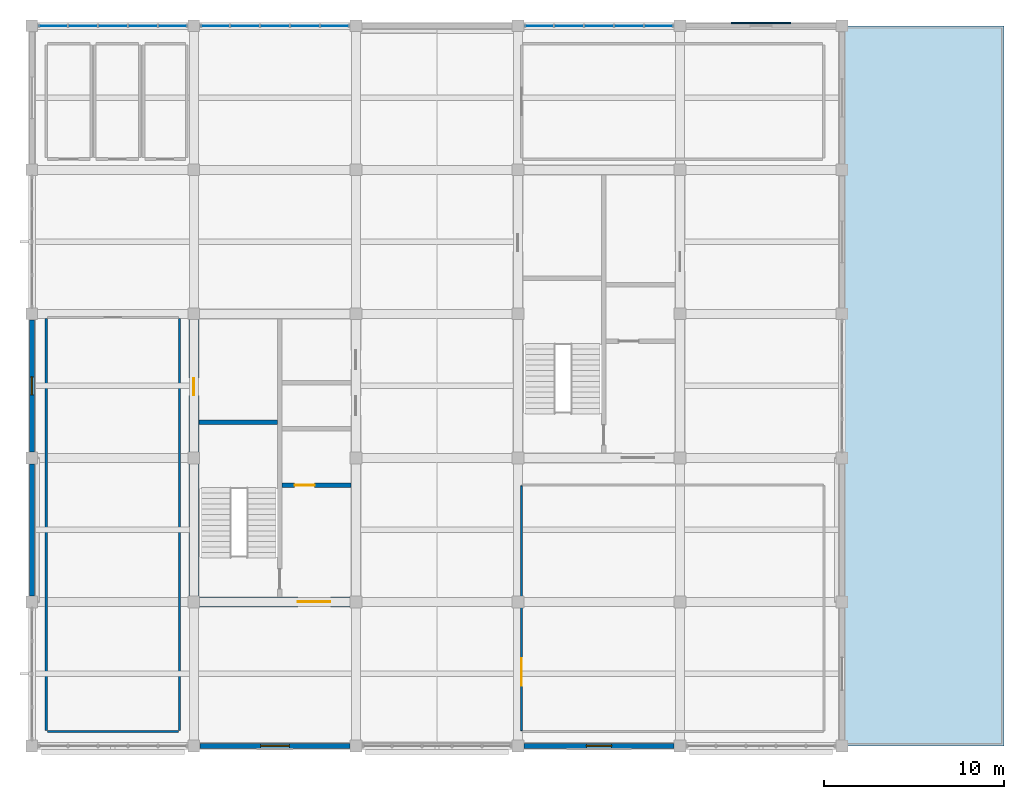
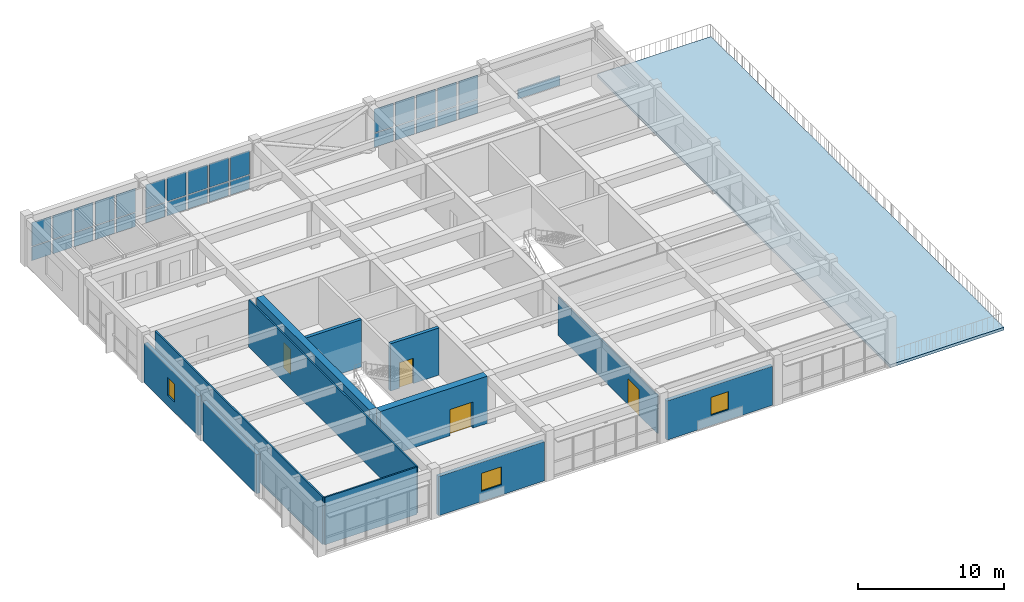
# One storey, part 8 of 12: 31 plates, 12 walls, 4 doors, 3 windows, 1 slab, 7 openings, 3 elements without a shape of their own.
"""IFC4 building model written with IfcOpenShell, lengths in metres."""

import ifcopenshell
import ifcopenshell.guid

model = None  # the IFC model being written
_history = None  # IfcOwnerHistory: only IFC2X3 demands one
_inside = {}  # id of a spatial element -> (the spatial element, [elements in it])
_under = {}  # id of a project, library or spatial element -> (it, [spatial elements below it])
_declared = {}  # id of a project -> (the project, [libraries it declares])
_typed = {}  # id of a type object -> (the type object, [elements of that type])
_made_of = {}  # id of a material, layer set ... -> (it, [elements and type objects made of it])


def new_model(schema):
    """Start an empty IFC model of exactly this schema.

    Asked for "IFC4X3", IfcOpenShell would pick the latest addendum, in which some entities
    have other attributes; the version numbers below select the first issue.
    IFC2X3 requires an IfcOwnerHistory on every rooted entity: one is made here for all.
    """
    global model, _history
    if schema == "IFC4X3":
        model = ifcopenshell.file(schema_version=(4, 3, 0, 0))
    else:
        model = ifcopenshell.file(schema=schema)
    _inside.clear()
    _under.clear()
    _declared.clear()
    _typed.clear()
    _made_of.clear()
    _history = None
    if model.schema == "IFC2X3":
        org = make("IfcOrganization", Name="unknown")
        user = make(
            "IfcPersonAndOrganization",
            ThePerson=make("IfcPerson", FamilyName="unknown"),
            TheOrganization=org,
        )
        app = make(
            "IfcApplication",
            ApplicationDeveloper=org,
            Version="unknown",
            ApplicationFullName="unknown",
            ApplicationIdentifier="unknown",
        )
        _history = make(
            "IfcOwnerHistory",
            OwningUser=user,
            OwningApplication=app,
            ChangeAction="ADDED",
            CreationDate=0,
        )
    return model


def make(cls, **values):
    """One entity of the class cls with the attributes given. An attribute that is None is left unset."""
    return model.create_entity(
        cls, **{name: value for name, value in values.items() if value is not None}
    )


def rooted(cls, **values):
    """An entity with a GlobalId (a new one), such as an element, a storey or a relation."""
    return make(cls, GlobalId=ifcopenshell.guid.new(), OwnerHistory=_history, **values)


def si_unit(unit_type, name, prefix=None):
    """IfcSIUnit, for example si_unit("LENGTHUNIT", "METRE", prefix="MILLI")."""
    return make("IfcSIUnit", UnitType=unit_type, Prefix=prefix, Name=name)


def assignment(units):
    """IfcUnitAssignment: the units of a project."""
    return None if units is None else make("IfcUnitAssignment", Units=units)


def point(xyz):
    """IfcCartesianPoint."""
    return None if xyz is None else make("IfcCartesianPoint", Coordinates=xyz)


def direction(xyz):
    """IfcDirection."""
    return None if xyz is None else make("IfcDirection", DirectionRatios=xyz)


def frame(location, z_axis=None, x_axis=None):
    """IfcAxis2Placement3D, a coordinate frame: its origin and axes. An axis left out is left unset."""
    return make(
        "IfcAxis2Placement3D",
        Location=point(location),
        Axis=direction(z_axis),
        RefDirection=direction(x_axis),
    )


def frame_2d(location, x_axis=None):
    """IfcAxis2Placement2D, a coordinate frame in the plane: its origin and x axis."""
    return make(
        "IfcAxis2Placement2D", Location=point(location), RefDirection=direction(x_axis)
    )


def origin():
    """The frame at (0, 0, 0) with its axes left unset."""
    return frame((0.0, 0.0, 0.0))


def place(relative_to, where):
    """IfcLocalPlacement: puts the frame where relative to a parent placement (None: the world)."""
    return make(
        "IfcLocalPlacement", PlacementRelTo=relative_to, RelativePlacement=where
    )


def context(
    kind, dimensions, precision=None, world=None, true_north=None, identifier=None
):
    """IfcGeometricRepresentationContext, for example the 3D "Model" context."""
    return make(
        "IfcGeometricRepresentationContext",
        ContextIdentifier=identifier,
        ContextType=kind,
        CoordinateSpaceDimension=dimensions,
        Precision=precision,
        WorldCoordinateSystem=world,
        TrueNorth=true_north,
    )


def subcontext(parent, identifier, kind, view, scale=None):
    """IfcGeometricRepresentationSubContext, for example "Body" below "Model"."""
    return make(
        "IfcGeometricRepresentationSubContext",
        ContextIdentifier=identifier,
        ContextType=kind,
        ParentContext=parent,
        TargetScale=scale,
        TargetView=view,
    )


def project(units=None, contexts=None):
    """IfcProject with its units and contexts."""
    return rooted(
        "IfcProject",
        Name="project",
        RepresentationContexts=contexts,
        UnitsInContext=assignment(units),
    )


def spatial(cls, under=None, at=None, **own):
    """A site, building, storey or space (cls), placed at a placement, below another one or the project."""
    s = rooted(cls, ObjectPlacement=at, **own)
    if under is not None:
        _under.setdefault(under.id(), (under, []))[1].append(s)
    return s


def polyline(points):
    """IfcPolyline through the points."""
    return make("IfcPolyline", Points=[point(p) for p in points])


def profile(cls, at=None, kind="AREA", **sizes):
    """A parametric profile (cls). Its sizes go by their IFC names, for example OverallWidth=200.0."""
    return make(cls, ProfileType=kind, Position=at, **sizes)


def rectangle(**sizes):
    """IfcRectangleProfileDef."""
    return profile("IfcRectangleProfileDef", **sizes)


def outline(outer, holes=None, kind="AREA"):
    """IfcArbitraryClosedProfileDef: a profile drawn as a closed curve; with holes, ...WithVoids."""
    if holes is None:
        return make("IfcArbitraryClosedProfileDef", ProfileType=kind, OuterCurve=outer)
    return make(
        "IfcArbitraryProfileDefWithVoids",
        ProfileType=kind,
        OuterCurve=outer,
        InnerCurves=holes,
    )


def extrude(swept, where, along, depth):
    """IfcExtrudedAreaSolid: the profile swept, set in the frame where, extruded along a direction by depth."""
    return make(
        "IfcExtrudedAreaSolid",
        SweptArea=swept,
        Position=where,
        ExtrudedDirection=direction(along),
        Depth=depth,
    )


def shape(context_of_items, identifier, shape_type, items):
    """IfcShapeRepresentation: the items that make up one representation, for example the "Body"."""
    return make(
        "IfcShapeRepresentation",
        ContextOfItems=context_of_items,
        RepresentationIdentifier=identifier,
        RepresentationType=shape_type,
        Items=items,
    )


def material(Name=None, Category=None):
    """IfcMaterial."""
    return make("IfcMaterial", Name=Name, Category=Category)


def layer(
    of_material, thickness, ventilated=None, Name=None, Category=None, Priority=None
):
    """IfcMaterialLayer: one layer of a wall or slab, of a material (None: an air gap)."""
    return make(
        "IfcMaterialLayer",
        Material=of_material,
        LayerThickness=thickness,
        IsVentilated=ventilated,
        Name=Name,
        Category=Category,
        Priority=Priority,
    )


def layer_set(layers, Name=None):
    """IfcMaterialLayerSet."""
    return make("IfcMaterialLayerSet", MaterialLayers=layers, LayerSetName=Name)


def made_of(thing, what):
    """Note that an element or type object is made of a material, layer set ...; save() writes the relation."""
    if what is not None:
        _made_of.setdefault(what.id(), (what, []))[1].append(thing)
    return thing


def type_object(cls, material=None, **own):
    """A type object (cls), such as IfcWallType, which elements share."""
    return made_of(rooted(cls, **own), material)


def element(
    cls,
    number,
    at=None,
    inside=None,
    cuts=None,
    type_object=None,
    material=None,
    context=None,
    identifier="Body",
    shape_type=None,
    held_by="IfcProductDefinitionShape",
    body=None,
    shapes=None,
    **own,
):
    """One element of the class cls, such as IfcWall. Its Tag is "e" and its number.

    at: its placement. inside: the storey or other place that contains it. cuts: it is an
    opening in that element (IfcRelVoidsElement). A single representation is given by context,
    identifier, shape_type and body (its items); several are given by shapes. held_by: the class
    of the entity that holds the representations. save() writes the other relations.
    """
    e = rooted(cls, Tag="e%d" % number, ObjectPlacement=at, **own)
    if body is not None:
        shapes = [shape(context, identifier, shape_type, body)]
    if shapes is not None:
        e.Representation = make(held_by, Representations=shapes)
    if inside is not None:
        _inside.setdefault(inside.id(), (inside, []))[1].append(e)
    if cuts is not None:
        rooted(
            "IfcRelVoidsElement", RelatingBuildingElement=cuts, RelatedOpeningElement=e
        )
    if type_object is not None:
        _typed.setdefault(type_object.id(), (type_object, []))[1].append(e)
    return made_of(e, material)


def fill(opening, filler):
    """IfcRelFillsElement: the door or window that sits in an opening."""
    return rooted(
        "IfcRelFillsElement",
        RelatingOpeningElement=opening,
        RelatedBuildingElement=filler,
    )


def aggregate(whole, parts):
    """IfcRelAggregates: a whole, such as a stair, and the parts it consists of."""
    return rooted("IfcRelAggregates", RelatingObject=whole, RelatedObjects=parts)


def save(model, path):
    """Write the relations noted so far, then the file.

    IfcRelAggregates (storeys below a building ...), IfcRelContainedInSpatialStructure (elements
    in a storey), IfcRelDefinesByType, IfcRelAssociatesMaterial and IfcRelDeclares: one each for
    every whole, place, type object, material and project.
    """
    for whole, parts in _under.values():
        aggregate(whole, parts)
    for where, things in _inside.values():
        rooted(
            "IfcRelContainedInSpatialStructure",
            RelatedElements=things,
            RelatingStructure=where,
        )
    for kind, things in _typed.values():
        rooted("IfcRelDefinesByType", RelatedObjects=things, RelatingType=kind)
    for what, things in _made_of.values():
        rooted("IfcRelAssociatesMaterial", RelatedObjects=things, RelatingMaterial=what)
    for by, libraries in _declared.values():
        rooted("IfcRelDeclares", RelatingContext=by, RelatedDefinitions=libraries)
    model.write(path)


model = new_model("IFC4")

# Units and contexts
model_context = context("Model", 3, precision=1e-05, world=origin(), true_north=direction((0.0, 1.0)))
body_context = subcontext(model_context, "Body", "Model", "MODEL_VIEW")
ifc_project = project(units=[si_unit("LENGTHUNIT", "METRE"), si_unit("AREAUNIT", "SQUARE_METRE"), si_unit("VOLUMEUNIT", "CUBIC_METRE"), si_unit("PLANEANGLEUNIT", "RADIAN"), si_unit("MASSUNIT", "GRAM", prefix="KILO")], contexts=[model_context])

# Site, building, storey
site_placement = place(None, origin())
site = spatial("IfcSite", under=ifc_project, at=site_placement, CompositionType="ELEMENT")
building_placement = place(site_placement, origin())
building = spatial("IfcBuilding", under=site, at=building_placement, Name="Zaverband Oceanarium and Marine Research Institute", CompositionType="ELEMENT")
storey_placement = place(building_placement, frame((0.0, 0.0, 68.699951171875)))
storey = spatial("IfcBuildingStorey", under=building, at=storey_placement, Name="L17", CompositionType="ELEMENT", Elevation=68.699951171875)

# Curtain wall, plates
ifc_material_1 = material(Name="Thermally broken anodized aluminium and solar-control glass", Category="aluminium")
curtain_wall_type = type_object("IfcCurtainWallType", Name="CW-UNIT-1800", PredefinedType="NOTDEFINED", material=ifc_material_1)
curtain_wall_1_placement = place(storey_placement, origin())
curtain_wall_1 = element("IfcCurtainWall", 1, at=curtain_wall_1_placement, inside=storey, type_object=curtain_wall_type, Name="Unitised glazed curtain wall CW-177", PredefinedType="NOTDEFINED")
ifc_material_2 = material(Name="Low-E double-glazed solar-control glass", Category="glass")
ifc_layer_1 = layer(ifc_material_2, 0.033935546875, Name="Low-E double-glazed solar-control glass")
ifc_layer_set_1 = layer_set([ifc_layer_1], Name="Low-E double-glazed solar-control glass")
plate_type_1 = type_object("IfcPlateType", Name="CWP-1608x1145", PredefinedType="CURTAIN_PANEL", material=ifc_layer_set_1)
plate_1_placement = place(storey_placement, frame((9.409912109375, 112.0, 0.050048828125), z_axis=(0.0, 0.0, 1.0), x_axis=(1.0, 0.0, 0.0)))
plate_1 = element("IfcPlate", 2, at=plate_1_placement, type_object=plate_type_1, Name="Glazed curtain wall panel CWP-1608x1145", PredefinedType="CURTAIN_PANEL", context=body_context, shape_type="SweptSolid", body=[
    extrude(rectangle(XDim=1.508056640625, YDim=0.033935546875, at=frame_2d((0.75390625, 0.0))), origin(), (0.0, 0.0, 1.0), 1.14404296875),
])
plate_2_placement = place(storey_placement, frame((11.077880859375, 112.0, 0.050048828125), z_axis=(0.0, 0.0, 1.0), x_axis=(1.0, 0.0, 0.0)))
plate_2 = element("IfcPlate", 3, at=plate_2_placement, type_object=plate_type_1, Name="Glazed curtain wall panel CWP-1608x1145", PredefinedType="CURTAIN_PANEL", context=body_context, shape_type="SweptSolid", body=[
    extrude(rectangle(XDim=1.508056640625, YDim=0.033935546875, at=frame_2d((0.75390625, 0.0))), origin(), (0.0, 0.0, 1.0), 1.14404296875),
])
plate_3_placement = place(storey_placement, frame((12.74609375, 112.0, 0.050048828125), z_axis=(0.0, 0.0, 1.0), x_axis=(1.0, 0.0, 0.0)))
plate_3 = element("IfcPlate", 4, at=plate_3_placement, type_object=plate_type_1, Name="Glazed curtain wall panel CWP-1608x1145", PredefinedType="CURTAIN_PANEL", context=body_context, shape_type="SweptSolid", body=[
    extrude(rectangle(XDim=1.5078125, YDim=0.033935546875, at=frame_2d((0.75390625, 0.0))), origin(), (0.0, 0.0, 1.0), 1.14404296875),
])
plate_4_placement = place(storey_placement, frame((14.4140625, 112.0, 0.050048828125), z_axis=(0.0, 0.0, 1.0), x_axis=(1.0, 0.0, 0.0)))
plate_4 = element("IfcPlate", 5, at=plate_4_placement, type_object=plate_type_1, Name="Glazed curtain wall panel CWP-1608x1145", PredefinedType="CURTAIN_PANEL", context=body_context, shape_type="SweptSolid", body=[
    extrude(rectangle(XDim=1.508056640625, YDim=0.033935546875, at=frame_2d((0.75390625, 0.0))), origin(), (0.0, 0.0, 1.0), 1.14404296875),
])
plate_5_placement = place(storey_placement, frame((16.08203125, 112.0, 0.050048828125), z_axis=(0.0, 0.0, 1.0), x_axis=(1.0, 0.0, 0.0)))
plate_5 = element("IfcPlate", 6, at=plate_5_placement, type_object=plate_type_1, Name="Glazed curtain wall panel CWP-1608x1145", PredefinedType="CURTAIN_PANEL", context=body_context, shape_type="SweptSolid", body=[
    extrude(rectangle(XDim=1.508056640625, YDim=0.033935546875, at=frame_2d((0.75390625, 0.0))), origin(), (0.0, 0.0, 1.0), 1.14404296875),
])

curtain_wall_2_placement = place(storey_placement, origin())
curtain_wall_2 = element("IfcCurtainWall", 7, at=curtain_wall_2_placement, inside=storey, type_object=curtain_wall_type, Name="Unitised glazed curtain wall CW-178", PredefinedType="NOTDEFINED")
plate_6_placement = place(storey_placement, frame((18.409912109375, 112.0, 0.050048828125), z_axis=(0.0, 0.0, 1.0), x_axis=(1.0, 0.0, 0.0)))
plate_6 = element("IfcPlate", 8, at=plate_6_placement, type_object=plate_type_1, Name="Glazed curtain wall panel CWP-1608x1145", PredefinedType="CURTAIN_PANEL", context=body_context, shape_type="SweptSolid", body=[
    extrude(rectangle(XDim=1.508056640625, YDim=0.033935546875, at=frame_2d((0.75390625, 0.0))), origin(), (0.0, 0.0, 1.0), 1.14404296875),
])
plate_7_placement = place(storey_placement, frame((20.077880859375, 112.0, 0.050048828125), z_axis=(0.0, 0.0, 1.0), x_axis=(1.0, 0.0, 0.0)))
plate_7 = element("IfcPlate", 9, at=plate_7_placement, type_object=plate_type_1, Name="Glazed curtain wall panel CWP-1608x1145", PredefinedType="CURTAIN_PANEL", context=body_context, shape_type="SweptSolid", body=[
    extrude(rectangle(XDim=1.508056640625, YDim=0.033935546875, at=frame_2d((0.75390625, 0.0))), origin(), (0.0, 0.0, 1.0), 1.14404296875),
])
plate_8_placement = place(storey_placement, frame((21.74609375, 112.0, 0.050048828125), z_axis=(0.0, 0.0, 1.0), x_axis=(1.0, 0.0, 0.0)))
plate_8 = element("IfcPlate", 10, at=plate_8_placement, type_object=plate_type_1, Name="Glazed curtain wall panel CWP-1608x1145", PredefinedType="CURTAIN_PANEL", context=body_context, shape_type="SweptSolid", body=[
    extrude(rectangle(XDim=1.5078125, YDim=0.033935546875, at=frame_2d((0.75390625, 0.0))), origin(), (0.0, 0.0, 1.0), 1.14404296875),
])
plate_9_placement = place(storey_placement, frame((23.4140625, 112.0, 0.050048828125), z_axis=(0.0, 0.0, 1.0), x_axis=(1.0, 0.0, 0.0)))
plate_9 = element("IfcPlate", 11, at=plate_9_placement, type_object=plate_type_1, Name="Glazed curtain wall panel CWP-1608x1145", PredefinedType="CURTAIN_PANEL", context=body_context, shape_type="SweptSolid", body=[
    extrude(rectangle(XDim=1.508056640625, YDim=0.033935546875, at=frame_2d((0.75390625, 0.0))), origin(), (0.0, 0.0, 1.0), 1.14404296875),
])
plate_10_placement = place(storey_placement, frame((25.08203125, 112.0, 0.050048828125), z_axis=(0.0, 0.0, 1.0), x_axis=(1.0, 0.0, 0.0)))
plate_10 = element("IfcPlate", 12, at=plate_10_placement, type_object=plate_type_1, Name="Glazed curtain wall panel CWP-1608x1145", PredefinedType="CURTAIN_PANEL", context=body_context, shape_type="SweptSolid", body=[
    extrude(rectangle(XDim=1.508056640625, YDim=0.033935546875, at=frame_2d((0.75390625, 0.0))), origin(), (0.0, 0.0, 1.0), 1.14404296875),
])

curtain_wall_3_placement = place(storey_placement, origin())
curtain_wall_3 = element("IfcCurtainWall", 13, at=curtain_wall_3_placement, inside=storey, type_object=curtain_wall_type, Name="Unitised glazed curtain wall CW-179", PredefinedType="NOTDEFINED")
plate_11_placement = place(storey_placement, frame((36.409912109375, 112.0, 0.050048828125), z_axis=(0.0, 0.0, 1.0), x_axis=(1.0, 0.0, 0.0)))
plate_11 = element("IfcPlate", 14, at=plate_11_placement, type_object=plate_type_1, Name="Glazed curtain wall panel CWP-1608x1145", PredefinedType="CURTAIN_PANEL", context=body_context, shape_type="SweptSolid", body=[
    extrude(rectangle(XDim=1.508056640625, YDim=0.033935546875, at=frame_2d((0.75390625, 0.0))), origin(), (0.0, 0.0, 1.0), 1.14404296875),
])
plate_12_placement = place(storey_placement, frame((38.077880859375, 112.0, 0.050048828125), z_axis=(0.0, 0.0, 1.0), x_axis=(1.0, 0.0, 0.0)))
plate_12 = element("IfcPlate", 15, at=plate_12_placement, type_object=plate_type_1, Name="Glazed curtain wall panel CWP-1608x1145", PredefinedType="CURTAIN_PANEL", context=body_context, shape_type="SweptSolid", body=[
    extrude(rectangle(XDim=1.508056640625, YDim=0.033935546875, at=frame_2d((0.75390625, 0.0))), origin(), (0.0, 0.0, 1.0), 1.14404296875),
])
plate_13_placement = place(storey_placement, frame((39.74609375, 112.0, 0.050048828125), z_axis=(0.0, 0.0, 1.0), x_axis=(1.0, 0.0, 0.0)))
plate_13 = element("IfcPlate", 16, at=plate_13_placement, type_object=plate_type_1, Name="Glazed curtain wall panel CWP-1608x1145", PredefinedType="CURTAIN_PANEL", context=body_context, shape_type="SweptSolid", body=[
    extrude(rectangle(XDim=1.5078125, YDim=0.033935546875, at=frame_2d((0.75390625, 0.0))), origin(), (0.0, 0.0, 1.0), 1.14404296875),
])
plate_14_placement = place(storey_placement, frame((41.4140625, 112.0, 0.050048828125), z_axis=(0.0, 0.0, 1.0), x_axis=(1.0, 0.0, 0.0)))
plate_14 = element("IfcPlate", 17, at=plate_14_placement, type_object=plate_type_1, Name="Glazed curtain wall panel CWP-1608x1145", PredefinedType="CURTAIN_PANEL", context=body_context, shape_type="SweptSolid", body=[
    extrude(rectangle(XDim=1.508056640625, YDim=0.033935546875, at=frame_2d((0.75390625, 0.0))), origin(), (0.0, 0.0, 1.0), 1.14404296875),
])
plate_15_placement = place(storey_placement, frame((43.08203125, 112.0, 0.050048828125), z_axis=(0.0, 0.0, 1.0), x_axis=(1.0, 0.0, 0.0)))
plate_15 = element("IfcPlate", 18, at=plate_15_placement, type_object=plate_type_1, Name="Glazed curtain wall panel CWP-1608x1145", PredefinedType="CURTAIN_PANEL", context=body_context, shape_type="SweptSolid", body=[
    extrude(rectangle(XDim=1.508056640625, YDim=0.033935546875, at=frame_2d((0.75390625, 0.0))), origin(), (0.0, 0.0, 1.0), 1.14404296875),
])

# Plate
ifc_layer_2 = layer(ifc_material_2, 0.035888671875, Name="Low-E double-glazed solar-control glass")
ifc_layer_set_2 = layer_set([ifc_layer_2], Name="Low-E double-glazed solar-control glass")
plate_type_2 = type_object("IfcPlateType", Name="CWP-1608x1965", PredefinedType="CURTAIN_PANEL", material=ifc_layer_set_2)
plate_16_placement = place(storey_placement, frame((9.409912109375, 112.0, 1.26416015625), z_axis=(0.0, 0.0, 1.0), x_axis=(1.0, 0.0, 0.0)))
plate_16 = element("IfcPlate", 19, at=plate_16_placement, type_object=plate_type_2, Name="Glazed curtain wall panel CWP-1608x1965", PredefinedType="CURTAIN_PANEL", context=body_context, shape_type="SweptSolid", body=[
    extrude(rectangle(XDim=1.508056640625, YDim=0.035888671875, at=frame_2d((0.75390625, 0.0))), origin(), (0.0, 0.0, 1.0), 1.9658203125),
])

plate_17_placement = place(storey_placement, frame((11.077880859375, 112.0, 1.26416015625), z_axis=(0.0, 0.0, 1.0), x_axis=(1.0, 0.0, 0.0)))
plate_17 = element("IfcPlate", 20, at=plate_17_placement, type_object=plate_type_2, Name="Glazed curtain wall panel CWP-1608x1965", PredefinedType="CURTAIN_PANEL", context=body_context, shape_type="SweptSolid", body=[
    extrude(rectangle(XDim=1.508056640625, YDim=0.035888671875, at=frame_2d((0.75390625, 0.0))), origin(), (0.0, 0.0, 1.0), 1.9658203125),
])

plate_18_placement = place(storey_placement, frame((12.74609375, 112.0, 1.26416015625), z_axis=(0.0, 0.0, 1.0), x_axis=(1.0, 0.0, 0.0)))
plate_18 = element("IfcPlate", 21, at=plate_18_placement, type_object=plate_type_2, Name="Glazed curtain wall panel CWP-1608x1965", PredefinedType="CURTAIN_PANEL", context=body_context, shape_type="SweptSolid", body=[
    extrude(rectangle(XDim=1.5078125, YDim=0.035888671875, at=frame_2d((0.75390625, 0.0))), origin(), (0.0, 0.0, 1.0), 1.9658203125),
])

plate_19_placement = place(storey_placement, frame((14.4140625, 112.0, 1.26416015625), z_axis=(0.0, 0.0, 1.0), x_axis=(1.0, 0.0, 0.0)))
plate_19 = element("IfcPlate", 22, at=plate_19_placement, type_object=plate_type_2, Name="Glazed curtain wall panel CWP-1608x1965", PredefinedType="CURTAIN_PANEL", context=body_context, shape_type="SweptSolid", body=[
    extrude(rectangle(XDim=1.508056640625, YDim=0.035888671875, at=frame_2d((0.75390625, 0.0))), origin(), (0.0, 0.0, 1.0), 1.9658203125),
])

plate_20_placement = place(storey_placement, frame((16.08203125, 112.0, 1.26416015625), z_axis=(0.0, 0.0, 1.0), x_axis=(1.0, 0.0, 0.0)))
plate_20 = element("IfcPlate", 23, at=plate_20_placement, type_object=plate_type_2, Name="Glazed curtain wall panel CWP-1608x1965", PredefinedType="CURTAIN_PANEL", context=body_context, shape_type="SweptSolid", body=[
    extrude(rectangle(XDim=1.508056640625, YDim=0.035888671875, at=frame_2d((0.75390625, 0.0))), origin(), (0.0, 0.0, 1.0), 1.9658203125),
])

aggregate(curtain_wall_1, [plate_1, plate_16, plate_2, plate_17, plate_3, plate_18, plate_4, plate_19, plate_5, plate_20])

plate_21_placement = place(storey_placement, frame((18.409912109375, 112.0, 1.26416015625), z_axis=(0.0, 0.0, 1.0), x_axis=(1.0, 0.0, 0.0)))
plate_21 = element("IfcPlate", 24, at=plate_21_placement, type_object=plate_type_2, Name="Glazed curtain wall panel CWP-1608x1965", PredefinedType="CURTAIN_PANEL", context=body_context, shape_type="SweptSolid", body=[
    extrude(rectangle(XDim=1.508056640625, YDim=0.035888671875, at=frame_2d((0.75390625, 0.0))), origin(), (0.0, 0.0, 1.0), 1.9658203125),
])

plate_22_placement = place(storey_placement, frame((20.077880859375, 112.0, 1.26416015625), z_axis=(0.0, 0.0, 1.0), x_axis=(1.0, 0.0, 0.0)))
plate_22 = element("IfcPlate", 25, at=plate_22_placement, type_object=plate_type_2, Name="Glazed curtain wall panel CWP-1608x1965", PredefinedType="CURTAIN_PANEL", context=body_context, shape_type="SweptSolid", body=[
    extrude(rectangle(XDim=1.508056640625, YDim=0.035888671875, at=frame_2d((0.75390625, 0.0))), origin(), (0.0, 0.0, 1.0), 1.9658203125),
])

plate_23_placement = place(storey_placement, frame((21.74609375, 112.0, 1.26416015625), z_axis=(0.0, 0.0, 1.0), x_axis=(1.0, 0.0, 0.0)))
plate_23 = element("IfcPlate", 26, at=plate_23_placement, type_object=plate_type_2, Name="Glazed curtain wall panel CWP-1608x1965", PredefinedType="CURTAIN_PANEL", context=body_context, shape_type="SweptSolid", body=[
    extrude(rectangle(XDim=1.5078125, YDim=0.035888671875, at=frame_2d((0.75390625, 0.0))), origin(), (0.0, 0.0, 1.0), 1.9658203125),
])

plate_24_placement = place(storey_placement, frame((23.4140625, 112.0, 1.26416015625), z_axis=(0.0, 0.0, 1.0), x_axis=(1.0, 0.0, 0.0)))
plate_24 = element("IfcPlate", 27, at=plate_24_placement, type_object=plate_type_2, Name="Glazed curtain wall panel CWP-1608x1965", PredefinedType="CURTAIN_PANEL", context=body_context, shape_type="SweptSolid", body=[
    extrude(rectangle(XDim=1.508056640625, YDim=0.035888671875, at=frame_2d((0.75390625, 0.0))), origin(), (0.0, 0.0, 1.0), 1.9658203125),
])

plate_25_placement = place(storey_placement, frame((25.08203125, 112.0, 1.26416015625), z_axis=(0.0, 0.0, 1.0), x_axis=(1.0, 0.0, 0.0)))
plate_25 = element("IfcPlate", 28, at=plate_25_placement, type_object=plate_type_2, Name="Glazed curtain wall panel CWP-1608x1965", PredefinedType="CURTAIN_PANEL", context=body_context, shape_type="SweptSolid", body=[
    extrude(rectangle(XDim=1.508056640625, YDim=0.035888671875, at=frame_2d((0.75390625, 0.0))), origin(), (0.0, 0.0, 1.0), 1.9658203125),
])

aggregate(curtain_wall_2, [plate_6, plate_21, plate_7, plate_22, plate_8, plate_23, plate_9, plate_24, plate_10, plate_25])

plate_26_placement = place(storey_placement, frame((36.409912109375, 112.0, 1.26416015625), z_axis=(0.0, 0.0, 1.0), x_axis=(1.0, 0.0, 0.0)))
plate_26 = element("IfcPlate", 29, at=plate_26_placement, type_object=plate_type_2, Name="Glazed curtain wall panel CWP-1608x1965", PredefinedType="CURTAIN_PANEL", context=body_context, shape_type="SweptSolid", body=[
    extrude(rectangle(XDim=1.508056640625, YDim=0.035888671875, at=frame_2d((0.75390625, 0.0))), origin(), (0.0, 0.0, 1.0), 1.9658203125),
])

plate_27_placement = place(storey_placement, frame((38.077880859375, 112.0, 1.26416015625), z_axis=(0.0, 0.0, 1.0), x_axis=(1.0, 0.0, 0.0)))
plate_27 = element("IfcPlate", 30, at=plate_27_placement, type_object=plate_type_2, Name="Glazed curtain wall panel CWP-1608x1965", PredefinedType="CURTAIN_PANEL", context=body_context, shape_type="SweptSolid", body=[
    extrude(rectangle(XDim=1.508056640625, YDim=0.035888671875, at=frame_2d((0.75390625, 0.0))), origin(), (0.0, 0.0, 1.0), 1.9658203125),
])

plate_28_placement = place(storey_placement, frame((39.74609375, 112.0, 1.26416015625), z_axis=(0.0, 0.0, 1.0), x_axis=(1.0, 0.0, 0.0)))
plate_28 = element("IfcPlate", 31, at=plate_28_placement, type_object=plate_type_2, Name="Glazed curtain wall panel CWP-1608x1965", PredefinedType="CURTAIN_PANEL", context=body_context, shape_type="SweptSolid", body=[
    extrude(rectangle(XDim=1.5078125, YDim=0.035888671875, at=frame_2d((0.75390625, 0.0))), origin(), (0.0, 0.0, 1.0), 1.9658203125),
])

plate_29_placement = place(storey_placement, frame((41.4140625, 112.0, 1.26416015625), z_axis=(0.0, 0.0, 1.0), x_axis=(1.0, 0.0, 0.0)))
plate_29 = element("IfcPlate", 32, at=plate_29_placement, type_object=plate_type_2, Name="Glazed curtain wall panel CWP-1608x1965", PredefinedType="CURTAIN_PANEL", context=body_context, shape_type="SweptSolid", body=[
    extrude(rectangle(XDim=1.508056640625, YDim=0.035888671875, at=frame_2d((0.75390625, 0.0))), origin(), (0.0, 0.0, 1.0), 1.9658203125),
])

plate_30_placement = place(storey_placement, frame((43.08203125, 112.0, 1.26416015625), z_axis=(0.0, 0.0, 1.0), x_axis=(1.0, 0.0, 0.0)))
plate_30 = element("IfcPlate", 33, at=plate_30_placement, type_object=plate_type_2, Name="Glazed curtain wall panel CWP-1608x1965", PredefinedType="CURTAIN_PANEL", context=body_context, shape_type="SweptSolid", body=[
    extrude(rectangle(XDim=1.508056640625, YDim=0.035888671875, at=frame_2d((0.75390625, 0.0))), origin(), (0.0, 0.0, 1.0), 1.9658203125),
])

aggregate(curtain_wall_3, [plate_11, plate_26, plate_12, plate_27, plate_13, plate_28, plate_14, plate_29, plate_15, plate_30])

ifc_material_3 = material(Name="Concrete C40/50 precast ochre", Category="concrete")
ifc_layer_3 = layer(ifc_material_3, 0.0849609375, Name="Concrete C40/50 precast ochre")
ifc_layer_set_3 = layer_set([ifc_layer_3], Name="Concrete C40/50 precast ochre")
plate_type_3 = type_object("IfcPlateType", Name="FRP-3300x800", PredefinedType="USERDEFINED", material=ifc_layer_set_3)
plate_31_placement = place(storey_placement, frame((47.85009765625, 112.159912109375, 0.0), z_axis=(0.0, 0.0, 1.0), x_axis=(1.0, 0.0, 0.0)))
element("IfcPlate", 34, at=plate_31_placement, inside=storey, type_object=plate_type_3, Name="Geometric precast facade cladding panel FRP-3300x800", ObjectType="FLANGE_PLATE", PredefinedType="USERDEFINED", context=body_context, shape_type="SweptSolid", body=[
    extrude(rectangle(XDim=3.2998046875, YDim=0.0849609375, at=frame_2d((1.64990234375, 0.0))), origin(), (0.0, 0.0, 1.0), 0.800048828125),
])

# Slab
ifc_material_4 = material(Name="Concrete C40/50", Category="concrete")
ifc_layer_4 = layer(ifc_material_4, 0.239990234375, Name="Concrete C40/50")
ifc_layer_set_4 = layer_set([ifc_layer_4], Name="Concrete C40/50")
slab_type = type_object("IfcSlabType", Name="SLB-TER-240", PredefinedType="FLOOR", material=ifc_layer_set_4)
slab_placement = place(storey_placement, frame((0.0, 0.0, -0.239990234375)))
element("IfcSlab", 35, at=slab_placement, inside=storey, type_object=slab_type, Name="Exterior terrace / balcony deck SLB-TER-240", PredefinedType="FLOOR", context=body_context, shape_type="SweptSolid", body=[
    extrude(outline(polyline([(54.014892578125, 72.0), (63.0, 72.0), (63.0, 112.0), (54.014892578125, 112.0), (54.014892578125, 72.0)])), origin(), (0.0, 0.0, 1.0), 0.239990234375),
])

# Wall, opening, door
ifc_material_5 = material(Name="Concrete C50/60", Category="concrete")
ifc_layer_5 = layer(ifc_material_5, 0.550048828125, Name="Concrete C50/60")
ifc_layer_set_5 = layer_set([ifc_layer_5], Name="Concrete C50/60")
wall_type_1 = type_object("IfcWallType", Name="CW-01", PredefinedType="SHEAR", material=ifc_layer_set_5)
wall_1_placement = place(storey_placement, frame((18.27490234375, 80.0, 0.0), z_axis=(0.0, 0.0, 1.0), x_axis=(1.0, 0.0, 0.0)))
wall_1 = element("IfcWall", 36, at=wall_1_placement, inside=storey, type_object=wall_type_1, Name="Structural shear wall CW-01", PredefinedType="SHEAR", context=body_context, shape_type="SweptSolid", body=[
    extrude(rectangle(XDim=8.4501953125, YDim=0.550048828125, at=frame_2d((4.22509765625, 0.0))), origin(), (0.0, 0.0, 1.0), 3.93994140625),
])
opening_1_placement = place(wall_1_placement, frame((5.5, 0.0, 0.0)))
opening_1 = element("IfcOpeningElement", 37, at=opening_1_placement, cuts=wall_1, Name="Opening FD-02", PredefinedType="OPENING", context=body_context, shape_type="SweptSolid", body=[
    extrude(rectangle(XDim=1.800048828125, YDim=2.179931640625, at=frame_2d((0.89990234375, 1.08984375))), frame((0.0, 0.287109375, 0.0), z_axis=(0.0, -1.0, 0.0), x_axis=(1.0, 0.0, 0.0)), (0.0, 0.0, 1.0), 0.573974609375),
])
ifc_material_6 = material(Name="Steel S355", Category="steel")
door_type_1 = type_object("IfcDoorType", Name="FD-02", OperationType="DOUBLE_DOOR_SINGLE_SWING", PredefinedType="DOOR", material=ifc_material_6)
door_1_placement = place(opening_1_placement, origin())
door_1 = element("IfcDoor", 38, at=door_1_placement, inside=storey, type_object=door_type_1, Name="Protected lobby double fire door FD-02", OperationType="DOUBLE_DOOR_SINGLE_SWING", OverallHeight=2.179931640625, OverallWidth=1.800048828125, PredefinedType="DOOR", context=body_context, shape_type="SweptSolid", body=[
    extrude(rectangle(XDim=1.800048828125, YDim=2.179931640625, at=frame_2d((0.89990234375, 1.08984375))), frame((0.0, 0.02490234375, 0.0), z_axis=(0.0, -1.0, 0.0), x_axis=(1.0, 0.0, 0.0)), (0.0, 0.0, 1.0), 0.050048828125),
])
fill(opening_1, door_1)

wall_2_placement = place(storey_placement, frame((18.0, 80.27490234375, 0.0), z_axis=(0.0, 0.0, 1.0), x_axis=(0.0, 1.0, 0.0)))
wall_2 = element("IfcWall", 39, at=wall_2_placement, inside=storey, type_object=wall_type_1, Name="Structural shear wall CW-01", PredefinedType="SHEAR", context=body_context, shape_type="SweptSolid", body=[
    extrude(rectangle(XDim=15.4501953125, YDim=0.550048828125, at=frame_2d((7.72509765625, 0.0))), origin(), (0.0, 0.0, 1.0), 3.93994140625),
])
opening_2_placement = place(wall_2_placement, frame((11.199951171875, 0.0, 0.0)))
opening_2 = element("IfcOpeningElement", 40, at=opening_2_placement, cuts=wall_2, Name="Opening FD-03", PredefinedType="OPENING", context=body_context, shape_type="SweptSolid", body=[
    extrude(rectangle(XDim=0.949951171875, YDim=2.10009765625, at=frame_2d((0.47509765625, 1.050048828125))), frame((0.0, 0.287109375, 0.0), z_axis=(0.0, -1.0, 0.0), x_axis=(1.0, 0.0, 0.0)), (0.0, 0.0, 1.0), 0.573974609375),
])
door_type_2 = type_object("IfcDoorType", Name="FD-03", OperationType="NOTDEFINED", PredefinedType="DOOR", material=ifc_material_6)
door_2_placement = place(opening_2_placement, origin())
door_2 = element("IfcDoor", 41, at=door_2_placement, inside=storey, type_object=door_type_2, Name="Service riser access fire door FD-03", OperationType="SINGLE_SWING_RIGHT", OverallHeight=2.10009765625, OverallWidth=0.949951171875, PredefinedType="DOOR", context=body_context, shape_type="SweptSolid", body=[
    extrude(rectangle(XDim=0.949951171875, YDim=2.10009765625, at=frame_2d((0.47509765625, 1.050048828125))), frame((0.0, 0.02490234375, 0.0), z_axis=(0.0, -1.0, 0.0), x_axis=(1.0, 0.0, 0.0)), (0.0, 0.0, 1.0), 0.050048828125),
])
fill(opening_2, door_2)

# Wall, opening, window
ifc_material_7 = material(Name="Concrete C40/50 precast", Category="concrete")
ifc_layer_6 = layer(ifc_material_7, 0.2900390625, Name="Concrete C40/50 precast")
ifc_layer_set_6 = layer_set([ifc_layer_6], Name="Concrete C40/50 precast")
wall_type_2 = type_object("IfcWallType", Name="EW-290", PredefinedType="STANDARD", material=ifc_layer_set_6)
wall_3_placement = place(storey_placement, frame((18.330078125, 72.0, 0.0), z_axis=(0.0, 0.0, 1.0), x_axis=(1.0, 0.0, 0.0)))
wall_3 = element("IfcWall", 42, at=wall_3_placement, inside=storey, type_object=wall_type_2, Name="Exterior infill wall EW-290", PredefinedType="STANDARD", context=body_context, shape_type="SweptSolid", body=[
    extrude(rectangle(XDim=8.33984375, YDim=0.2900390625, at=frame_2d((4.169921875, 0.0))), origin(), (0.0, 0.0, 1.0), 3.27001953125),
])
opening_3_placement = place(wall_3_placement, frame((3.3701171875, 0.0, 0.85009765625)))
opening_3 = element("IfcOpeningElement", 43, at=opening_3_placement, cuts=wall_3, Name="Opening WN-1600x1500", PredefinedType="OPENING", context=body_context, shape_type="SweptSolid", body=[
    extrude(rectangle(XDim=1.60009765625, YDim=1.5, at=frame_2d((0.800048828125, 0.75))), frame((0.0, 0.156982421875, 0.0), z_axis=(0.0, -1.0, 0.0), x_axis=(1.0, 0.0, 0.0)), (0.0, 0.0, 1.0), 0.31396484375),
])
window_type_1 = type_object("IfcWindowType", Name="WN-1600x1500", PartitioningType="SINGLE_PANEL", PredefinedType="WINDOW", material=ifc_material_1)
window_1_placement = place(opening_3_placement, origin())
window_1 = element("IfcWindow", 44, at=window_1_placement, inside=storey, type_object=window_type_1, Name="Fixed / casement exterior window WN-1600x1500", OverallHeight=1.5, OverallWidth=1.60009765625, PartitioningType="SINGLE_PANEL", PredefinedType="WINDOW", context=body_context, shape_type="SweptSolid", body=[
    extrude(rectangle(XDim=1.60009765625, YDim=1.5, at=frame_2d((0.800048828125, 0.75))), frame((0.0, 0.030029296875, 0.0), z_axis=(0.0, -1.0, 0.0), x_axis=(1.0, 0.0, 0.0)), (0.0, 0.0, 1.0), 0.06005859375),
])
fill(opening_3, window_1)

wall_4_placement = place(storey_placement, frame((36.330078125, 72.0, 0.0), z_axis=(0.0, 0.0, 1.0), x_axis=(1.0, 0.0, 0.0)))
wall_4 = element("IfcWall", 45, at=wall_4_placement, inside=storey, type_object=wall_type_2, Name="Exterior infill wall EW-290", PredefinedType="STANDARD", context=body_context, shape_type="SweptSolid", body=[
    extrude(rectangle(XDim=8.33984375, YDim=0.2900390625, at=frame_2d((4.169921875, 0.0))), origin(), (0.0, 0.0, 1.0), 3.27001953125),
])
opening_4_placement = place(wall_4_placement, frame((3.469970703125, 0.0, 0.85009765625)))
opening_4 = element("IfcOpeningElement", 46, at=opening_4_placement, cuts=wall_4, Name="Opening WN-1400x1500", PredefinedType="OPENING", context=body_context, shape_type="SweptSolid", body=[
    extrude(rectangle(XDim=1.39990234375, YDim=1.5, at=frame_2d((0.699951171875, 0.75))), frame((0.0, 0.156982421875, 0.0), z_axis=(0.0, -1.0, 0.0), x_axis=(1.0, 0.0, 0.0)), (0.0, 0.0, 1.0), 0.31396484375),
])
window_type_2 = type_object("IfcWindowType", Name="WN-1400x1500", PartitioningType="SINGLE_PANEL", PredefinedType="WINDOW", material=ifc_material_1)
window_2_placement = place(opening_4_placement, origin())
window_2 = element("IfcWindow", 47, at=window_2_placement, inside=storey, type_object=window_type_2, Name="Fixed / casement exterior window WN-1400x1500", OverallHeight=1.5, OverallWidth=1.39990234375, PartitioningType="SINGLE_PANEL", PredefinedType="WINDOW", context=body_context, shape_type="SweptSolid", body=[
    extrude(rectangle(XDim=1.39990234375, YDim=1.5, at=frame_2d((0.699951171875, 0.75))), frame((0.0, 0.030029296875, 0.0), z_axis=(0.0, -1.0, 0.0), x_axis=(1.0, 0.0, 0.0)), (0.0, 0.0, 1.0), 0.06005859375),
])
fill(opening_4, window_2)

# Wall
wall_5_placement = place(storey_placement, frame((9.0, 80.330078125, 0.0), z_axis=(0.0, 0.0, 1.0), x_axis=(0.0, 1.0, 0.0)))
element("IfcWall", 48, at=wall_5_placement, inside=storey, type_object=wall_type_2, Name="Exterior infill wall EW-290", PredefinedType="STANDARD", context=body_context, shape_type="SweptSolid", body=[
    extrude(rectangle(XDim=7.33984375, YDim=0.2900390625, at=frame_2d((3.669921875, 0.0))), origin(), (0.0, 0.0, 1.0), 3.27001953125),
])

# Wall, opening, window
wall_6_placement = place(storey_placement, frame((9.0, 88.330078125, 0.0), z_axis=(0.0, 0.0, 1.0), x_axis=(0.0, 1.0, 0.0)))
wall_6 = element("IfcWall", 49, at=wall_6_placement, inside=storey, type_object=wall_type_2, Name="Exterior infill wall EW-290", PredefinedType="STANDARD", context=body_context, shape_type="SweptSolid", body=[
    extrude(rectangle(XDim=7.33984375, YDim=0.2900390625, at=frame_2d((3.669921875, 0.0))), origin(), (0.0, 0.0, 1.0), 3.27001953125),
])
opening_5_placement = place(wall_6_placement, frame((3.169921875, 0.0, 0.85009765625)))
opening_5 = element("IfcOpeningElement", 50, at=opening_5_placement, cuts=wall_6, Name="Opening WN-1000x1500", PredefinedType="OPENING", context=body_context, shape_type="SweptSolid", body=[
    extrude(rectangle(XDim=1.0, YDim=1.5, at=frame_2d((0.5, 0.75))), frame((0.0, 0.156982421875, 0.0), z_axis=(0.0, -1.0, 0.0), x_axis=(1.0, 0.0, 0.0)), (0.0, 0.0, 1.0), 0.31396484375),
])
window_type_3 = type_object("IfcWindowType", Name="WN-1000x1500", PartitioningType="SINGLE_PANEL", PredefinedType="WINDOW", material=ifc_material_1)
window_3_placement = place(opening_5_placement, origin())
window_3 = element("IfcWindow", 51, at=window_3_placement, inside=storey, type_object=window_type_3, Name="Fixed / casement exterior window WN-1000x1500", OverallHeight=1.5, OverallWidth=1.0, PartitioningType="SINGLE_PANEL", PredefinedType="WINDOW", context=body_context, shape_type="SweptSolid", body=[
    extrude(rectangle(XDim=1.0, YDim=1.5, at=frame_2d((0.5, 0.75))), frame((0.0, 0.030029296875, 0.0), z_axis=(0.0, -1.0, 0.0), x_axis=(1.0, 0.0, 0.0)), (0.0, 0.0, 1.0), 0.06005859375),
])
fill(opening_5, window_3)

# Wall, opening, door
ifc_material_8 = material(Name="Framed fire-rated glass laboratory partition", Category="glass")
ifc_layer_7 = layer(ifc_material_8, 0.10009765625, Name="Framed fire-rated glass laboratory partition")
ifc_layer_set_7 = layer_set([ifc_layer_7], Name="Framed fire-rated glass laboratory partition")
wall_type_3 = type_object("IfcWallType", Name="PT-100-GL", PredefinedType="PARTITIONING", material=ifc_layer_set_7)
wall_7_placement = place(storey_placement, frame((36.199951171875, 72.85009765625, 0.0), z_axis=(0.0, 0.0, 1.0), x_axis=(0.0, 1.0, 0.0)))
wall_7 = element("IfcWall", 52, at=wall_7_placement, inside=storey, type_object=wall_type_3, Name="Internal partition PT-100-GL", PredefinedType="PARTITIONING", context=body_context, shape_type="SweptSolid", body=[
    extrude(rectangle(XDim=13.599853515625, YDim=0.10009765625, at=frame_2d((6.7998046875, 0.0))), origin(), (0.0, 0.0, 1.0), 3.18994140625),
])
opening_6_placement = place(wall_7_placement, frame((2.5, 0.0, 0.0)))
opening_6 = element("IfcOpeningElement", 53, at=opening_6_placement, cuts=wall_7, Name="Opening ID-1520x2150", PredefinedType="OPENING", context=body_context, shape_type="SweptSolid", body=[
    extrude(rectangle(XDim=1.52001953125, YDim=2.14990234375, at=frame_2d((0.760009765625, 1.074951171875))), frame((0.0, 0.06201171875, 0.0), z_axis=(0.0, -1.0, 0.0), x_axis=(1.0, 0.0, 0.0)), (0.0, 0.0, 1.0), 0.1240234375),
])
ifc_material_9 = material(Name="Hardwood-veneered acoustic timber", Category="wood")
door_type_3 = type_object("IfcDoorType", Name="ID-1520x2150", OperationType="DOUBLE_DOOR_SINGLE_SWING", PredefinedType="DOOR", material=ifc_material_9)
door_3_placement = place(opening_6_placement, origin())
door_3 = element("IfcDoor", 54, at=door_3_placement, inside=storey, type_object=door_type_3, Name="Seminar double swing door ID-1520x2150", OperationType="DOUBLE_DOOR_SINGLE_SWING", OverallHeight=2.14990234375, OverallWidth=1.52001953125, PredefinedType="DOOR", context=body_context, shape_type="SweptSolid", body=[
    extrude(rectangle(XDim=1.52001953125, YDim=2.14990234375, at=frame_2d((0.760009765625, 1.074951171875))), frame((0.0, 0.02490234375, 0.0), z_axis=(0.0, -1.0, 0.0), x_axis=(1.0, 0.0, 0.0)), (0.0, 0.0, 1.0), 0.050048828125),
])
fill(opening_6, door_3)

# Walls
ifc_material_10 = material(Name="Insulated metal-stud office partition")
ifc_layer_8 = layer(ifc_material_10, 0.1201171875, Name="Insulated metal-stud office partition")
ifc_layer_set_8 = layer_set([ifc_layer_8], Name="Insulated metal-stud office partition")
wall_type_4 = type_object("IfcWallType", Name="PT-120-OF", PredefinedType="PARTITIONING", material=ifc_layer_set_8)
wall_8_placement = place(storey_placement, frame((9.860107421875, 72.800048828125, 0.0), z_axis=(0.0, 0.0, 1.0), x_axis=(1.0, 0.0, 0.0)))
element("IfcWall", 55, at=wall_8_placement, inside=storey, type_object=wall_type_4, Name="Internal partition PT-120-OF", PredefinedType="PARTITIONING", context=body_context, shape_type="SweptSolid", body=[
    extrude(rectangle(XDim=7.27978515625, YDim=0.1201171875, at=frame_2d((3.639892578125, 0.0))), origin(), (0.0, 0.0, 1.0), 3.93994140625),
])
for number, where, z_axis, x_axis, name in (
    (56, (9.800048828125, 72.860107421875, 0.0), (0.0, 0.0, 1.0), (0.0, 1.0, 0.0), "Internal partition PT-120-OF"),
    (57, (17.199951171875, 72.860107421875, 0.0), (0.0, 0.0, 1.0), (0.0, 1.0, 0.0), "Internal partition PT-120-OF"),
):
    element("IfcWall", number, at=place(storey_placement, frame(where, z_axis=z_axis, x_axis=x_axis)), inside=storey, type_object=wall_type_4, Name=name, PredefinedType="PARTITIONING", context=body_context, shape_type="SweptSolid", body=[
        extrude(rectangle(XDim=22.8798828125, YDim=0.1201171875, at=frame_2d((11.43994140625, 0.0))), origin(), (0.0, 0.0, 1.0), 3.93994140625),
    ])
ifc_layer_9 = layer(ifc_material_5, 0.25, Name="Concrete C50/60")
ifc_layer_set_9 = layer_set([ifc_layer_9], Name="Concrete C50/60")
wall_type_5 = type_object("IfcWallType", Name="PW-CORE-250", PredefinedType="SOLIDWALL", material=ifc_layer_set_9)
wall_9_placement = place(storey_placement, frame((18.27490234375, 89.97509765625, 0.0), z_axis=(0.0, 0.0, 1.0), x_axis=(1.0, 0.0, 0.0)))
element("IfcWall", 58, at=wall_9_placement, inside=storey, type_object=wall_type_5, Name="Structural concrete wall PW-CORE-250", PredefinedType="SOLIDWALL", context=body_context, shape_type="SweptSolid", body=[
    extrude(rectangle(XDim=4.3701171875, YDim=0.25, at=frame_2d((2.18505859375, 0.0))), origin(), (0.0, 0.0, 1.0), 3.93994140625),
])

# Wall, opening, door
wall_10_placement = place(storey_placement, frame((22.905029296875, 86.47509765625, 0.0), z_axis=(0.0, 0.0, 1.0), x_axis=(1.0, 0.0, 0.0)))
wall_10 = element("IfcWall", 59, at=wall_10_placement, inside=storey, type_object=wall_type_5, Name="Structural concrete wall PW-CORE-250", PredefinedType="SOLIDWALL", context=body_context, shape_type="SweptSolid", body=[
    extrude(rectangle(XDim=3.820068359375, YDim=0.25, at=frame_2d((1.91015625, 0.0))), origin(), (0.0, 0.0, 1.0), 3.93994140625),
])
opening_7_placement = place(wall_10_placement, frame((0.695068359375, 0.0, 0.0)))
opening_7 = element("IfcOpeningElement", 60, at=opening_7_placement, cuts=wall_10, Name="Opening LD-01", PredefinedType="OPENING", context=body_context, shape_type="SweptSolid", body=[
    extrude(rectangle(XDim=1.10009765625, YDim=2.1201171875, at=frame_2d((0.550048828125, 1.06005859375))), frame((0.0, 0.136962890625, 0.0), z_axis=(0.0, -1.0, 0.0), x_axis=(1.0, 0.0, 0.0)), (0.0, 0.0, 1.0), 0.27392578125),
])
door_type_4 = type_object("IfcDoorType", Name="LD-01", OperationType="DOUBLE_DOOR_SLIDING", PredefinedType="DOOR", material=ifc_material_6)
door_4_placement = place(opening_7_placement, origin())
door_4 = element("IfcDoor", 61, at=door_4_placement, inside=storey, type_object=door_type_4, Name="Firefighting lift sliding landing door LD-01", OperationType="DOUBLE_DOOR_SLIDING", OverallHeight=2.1201171875, OverallWidth=1.10009765625, PredefinedType="DOOR", context=body_context, shape_type="SweptSolid", body=[
    extrude(rectangle(XDim=1.10009765625, YDim=2.1201171875, at=frame_2d((0.550048828125, 1.06005859375))), frame((0.0, 0.02490234375, 0.0), z_axis=(0.0, -1.0, 0.0), x_axis=(1.0, 0.0, 0.0)), (0.0, 0.0, 1.0), 0.050048828125),
])
fill(opening_7, door_4)

save(model, "model.ifc")
